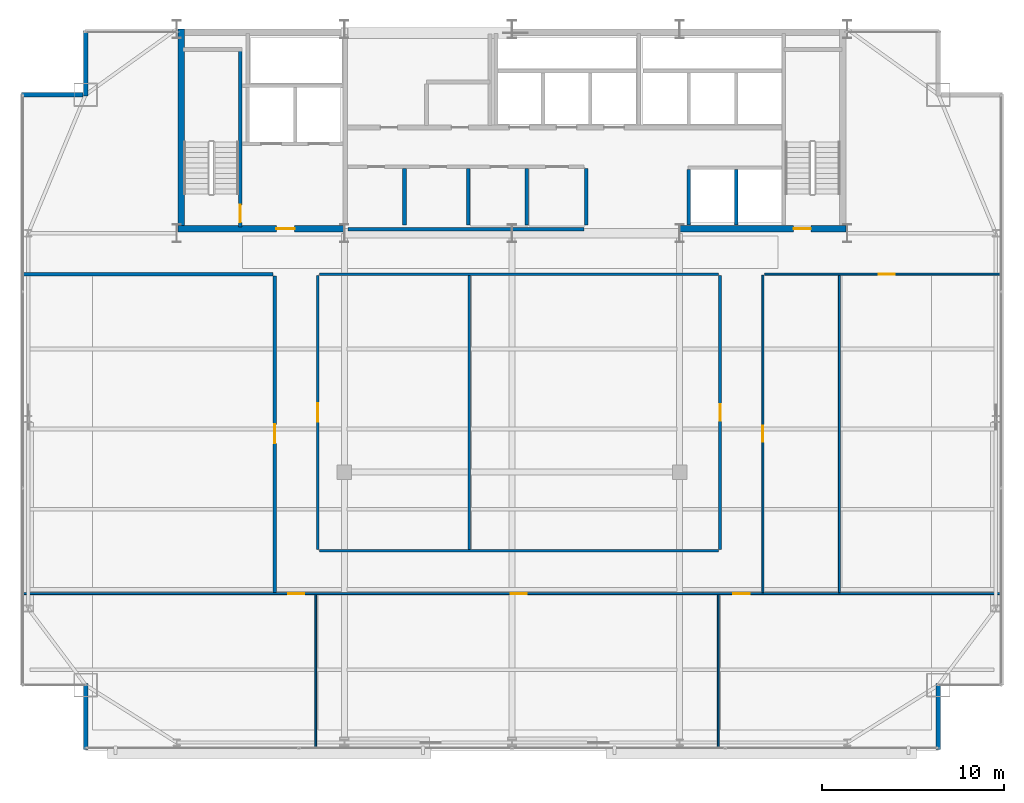
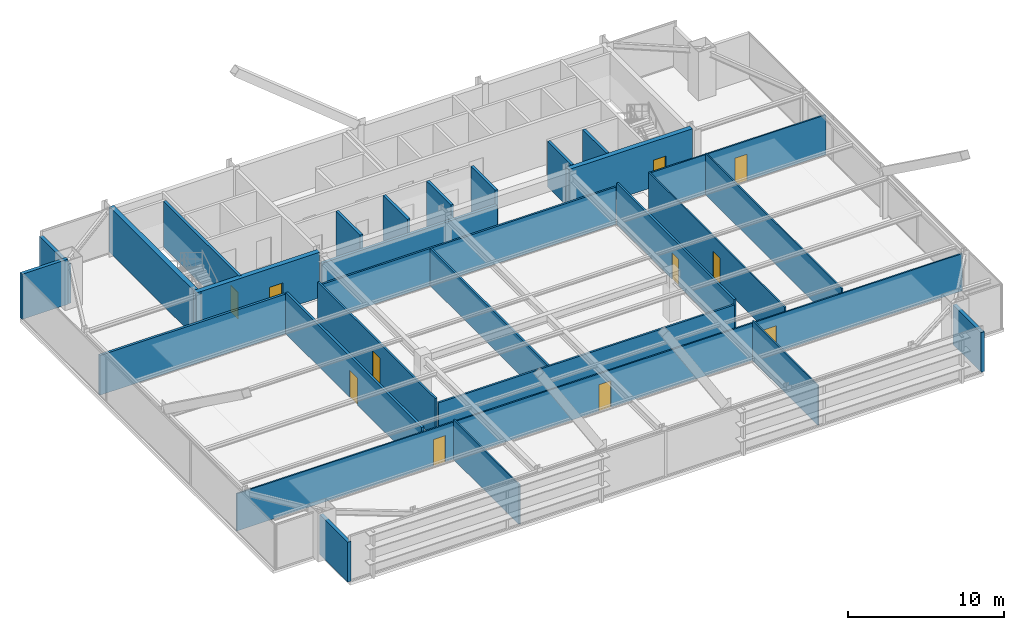
# One storey, part 26 of 30: 28 walls, 11 doors, 11 openings.
"""IFC4 building model written with IfcOpenShell, lengths in metres."""

from ifc_helpers import new_model, si_unit, direction, frame, frame_2d, origin, place, context, subcontext, project, spatial, rectangle, extrude, source, transform, mapped, material, layer, layer_set, type_object, type_shapes, element, fill, save


model = new_model("IFC4")

# Units and contexts
model_context = context("Model", 3, precision=1e-05, world=origin(), true_north=direction((0.0, 1.0)))
body_context = subcontext(model_context, "Body", "Model", "MODEL_VIEW")
ifc_project = project(units=[si_unit("LENGTHUNIT", "METRE"), si_unit("AREAUNIT", "SQUARE_METRE"), si_unit("VOLUMEUNIT", "CUBIC_METRE"), si_unit("PLANEANGLEUNIT", "RADIAN"), si_unit("MASSUNIT", "GRAM", prefix="KILO")], contexts=[model_context])

# Site, building, storey
site_placement = place(None, origin())
site = spatial("IfcSite", under=ifc_project, at=site_placement, CompositionType="ELEMENT")
building_placement = place(site_placement, origin())
building = spatial("IfcBuilding", under=site, at=building_placement, Name="Varnel Quay Broadcast Tower", CompositionType="ELEMENT")
storey_placement = place(building_placement, frame((0.0, 0.0, 149.60009765625)))
storey = spatial("IfcBuildingStorey", under=building, at=storey_placement, Name="L36", CompositionType="ELEMENT", Elevation=149.60009765625)

# Wall, opening, door
ifc_material_1 = material(Name="Concrete CSA A23.3 C50/60", Category="concrete")
ifc_layer_1 = layer(ifc_material_1, 0.199951171875, Name="Concrete CSA A23.3 C50/60")
ifc_layer_set_1 = layer_set([ifc_layer_1], Name="Concrete CSA A23.3 C50/60")
wall_type_1 = type_object("IfcWallType", Name="Wall_CoreShaftShear200", PredefinedType="SHEAR", material=ifc_layer_set_1)
wall_1_placement = place(storey_placement, frame((19.080078125, 35.949951171875, 0.0), z_axis=(0.0, 0.0, 1.0), x_axis=(0.0, 1.0, 0.0)))
wall_1 = element("IfcWall", 1, at=wall_1_placement, inside=storey, type_object=wall_type_1, Name="L36 Stair 1 East Structural Wall", PredefinedType="SHEAR", context=body_context, shape_type="SweptSolid", body=[
    extrude(rectangle(XDim=9.650146484375, YDim=0.199951171875, at=frame_2d((4.8251953125, 0.0))), origin(), (0.0, 0.0, 1.0), 3.5498046875),
])
opening_1_placement = place(wall_1_placement, frame((0.25, 0.0, 0.0)))
opening_1 = element("IfcOpeningElement", 2, at=opening_1_placement, cuts=wall_1, Name="Opening D-L36-S1", PredefinedType="OPENING", context=body_context, shape_type="SweptSolid", body=[
    extrude(rectangle(XDim=0.949951171875, YDim=2.10009765625, at=frame_2d((0.47509765625, 1.050048828125))), frame((0.0, 0.10986328125, 0.0), z_axis=(0.0, -1.0, 0.0), x_axis=(1.0, 0.0, 0.0)), (0.0, 0.0, 1.0), 0.219970703125),
])
ifc_material_2 = material(Name="Insulated Fire-Rated Hollow Steel Door", Category="steel")
door_type_1 = type_object("IfcDoorType", Name="Door_FireStair950", OperationType="NOTDEFINED", PredefinedType="DOOR", material=ifc_material_2)
shared_shape_1 = source(origin(), body_context, "Body", "SweptSolid", [
    extrude(rectangle(XDim=0.949951171875, YDim=2.10009765625, at=frame_2d((0.47509765625, 1.050048828125))), frame((0.0, 0.02490234375, 0.0), z_axis=(0.0, -1.0, 0.0), x_axis=(1.0, 0.0, 0.0)), (0.0, 0.0, 1.0), 0.050048828125),
])
type_shapes(door_type_1, [shared_shape_1])
door_1_placement = place(opening_1_placement, origin())
door_1 = element("IfcDoor", 3, at=door_1_placement, inside=storey, type_object=door_type_1, Name="L36 Stair 1 Fire Door", OperationType="SINGLE_SWING_LEFT", OverallHeight=2.10009765625, OverallWidth=0.949951171875, PredefinedType="DOOR", context=body_context, shape_type="MappedRepresentation", body=[
    mapped(shared_shape_1, transform((0.0, 0.0, 0.0), x_axis=(1.0, 0.0, 0.0), y_axis=(0.0, 1.0, 0.0), z_axis=(0.0, 0.0, 1.0), scale=1.0)),
])
fill(opening_1, door_1)

# Walls
for number, where, z_axis, x_axis, name in (
    (4, (43.699951171875, 36.050048828125, 0.0), (0.0, 0.0, 1.0), (0.0, 1.0, 0.0), "L36 Express Lift Shaft West Wall"),
    (5, (46.300048828125, 36.050048828125, 0.0), (0.0, 0.0, 1.0), (0.0, 1.0, 0.0), "L36 Express Lift Shaft Divider"),
):
    element("IfcWall", number, at=place(storey_placement, frame(where, z_axis=z_axis, x_axis=x_axis)), inside=storey, type_object=wall_type_1, Name=name, PredefinedType="SHEAR", context=body_context, shape_type="SweptSolid", body=[
        extrude(rectangle(XDim=3.050048828125, YDim=0.199951171875, at=frame_2d((1.52490234375, 0.0))), origin(), (0.0, 0.0, 1.0), 3.5498046875),
    ])
ifc_layer_2 = layer(ifc_material_1, 0.35009765625, Name="Concrete CSA A23.3 C50/60")
ifc_layer_set_2 = layer_set([ifc_layer_2], Name="Concrete CSA A23.3 C50/60")
wall_type_2 = type_object("IfcWallType", Name="Wall_CoreShearInt350", PredefinedType="SHEAR", material=ifc_layer_set_2)
wall_2_placement = place(storey_placement, frame((15.844970703125, 35.669921875, 0.0), z_axis=(0.0, 0.0, 1.0), x_axis=(0.0, 1.0, 0.0)))
element("IfcWall", 6, at=wall_2_placement, inside=storey, type_object=wall_type_2, Name="L36 West Core Shear Wall", PredefinedType="SHEAR", context=body_context, shape_type="SweptSolid", body=[
    extrude(rectangle(XDim=11.130126953125, YDim=0.35009765625, at=frame_2d((5.56494140625, 0.0))), origin(), (0.0, 0.0, 1.0), 3.5498046875),
])

# Wall, opening, door
wall_3_placement = place(storey_placement, frame((15.669921875, 35.844970703125, 0.0), z_axis=(0.0, 0.0, 1.0), x_axis=(1.0, 0.0, 0.0)))
wall_3 = element("IfcWall", 7, at=wall_3_placement, inside=storey, type_object=wall_type_2, Name="L36 South-West Core Shear Wall", PredefinedType="SHEAR", context=body_context, shape_type="SweptSolid", body=[
    extrude(rectangle(XDim=9.130126953125, YDim=0.35009765625, at=frame_2d((4.56494140625, 0.0))), origin(), (0.0, 0.0, 1.0), 3.5498046875),
])
opening_2_placement = place(wall_3_placement, frame((5.39990234375, 0.0, 0.0)))
opening_2 = element("IfcOpeningElement", 8, at=opening_2_placement, cuts=wall_3, Name="Opening D-L36-FFL", PredefinedType="OPENING", context=body_context, shape_type="SweptSolid", body=[
    extrude(rectangle(XDim=1.0, YDim=2.10009765625, at=frame_2d((0.5, 1.050048828125))), frame((0.0, 0.18505859375, 0.0), z_axis=(0.0, -1.0, 0.0), x_axis=(1.0, 0.0, 0.0)), (0.0, 0.0, 1.0), 0.3701171875),
])
door_type_2 = type_object("IfcDoorType", Name="Door_FireLobby1000", OperationType="NOTDEFINED", PredefinedType="DOOR", material=ifc_material_2)
shared_shape_2 = source(origin(), body_context, "Body", "SweptSolid", [
    extrude(rectangle(XDim=1.0, YDim=2.10009765625, at=frame_2d((0.5, 1.050048828125))), frame((0.0, 0.02490234375, 0.0), z_axis=(0.0, -1.0, 0.0), x_axis=(1.0, 0.0, 0.0)), (0.0, 0.0, 1.0), 0.050048828125),
])
type_shapes(door_type_2, [shared_shape_2])
door_2_placement = place(opening_2_placement, origin())
door_2 = element("IfcDoor", 9, at=door_2_placement, inside=storey, type_object=door_type_2, Name="L36 Firefighting Lobby Door", OperationType="SINGLE_SWING_RIGHT", OverallHeight=2.10009765625, OverallWidth=1.0, PredefinedType="DOOR", context=body_context, shape_type="MappedRepresentation", body=[
    mapped(shared_shape_2, transform((0.0, 0.0, 0.0), x_axis=(1.0, 0.0, 0.0), y_axis=(0.0, 1.0, 0.0), z_axis=(0.0, 0.0, 1.0), scale=1.0)),
])
fill(opening_2, door_2)

wall_4_placement = place(storey_placement, frame((43.199951171875, 35.844970703125, 0.0), z_axis=(0.0, 0.0, 1.0), x_axis=(1.0, 0.0, 0.0)))
wall_4 = element("IfcWall", 10, at=wall_4_placement, inside=storey, type_object=wall_type_2, Name="L36 South-East Core Shear Wall", PredefinedType="SHEAR", context=body_context, shape_type="SweptSolid", body=[
    extrude(rectangle(XDim=9.130126953125, YDim=0.35009765625, at=frame_2d((4.56494140625, 0.0))), origin(), (0.0, 0.0, 1.0), 3.5498046875),
])
opening_3_placement = place(wall_4_placement, frame((6.25, 0.0, 0.0)))
opening_3 = element("IfcOpeningElement", 11, at=opening_3_placement, cuts=wall_4, Name="Opening D-L36-S2", PredefinedType="OPENING", context=body_context, shape_type="SweptSolid", body=[
    extrude(rectangle(XDim=0.949951171875, YDim=2.10009765625, at=frame_2d((0.47509765625, 1.050048828125))), frame((0.0, 0.18505859375, 0.0), z_axis=(0.0, -1.0, 0.0), x_axis=(1.0, 0.0, 0.0)), (0.0, 0.0, 1.0), 0.3701171875),
])
door_3_placement = place(opening_3_placement, origin())
door_3 = element("IfcDoor", 12, at=door_3_placement, inside=storey, type_object=door_type_1, Name="L36 Stair 2 Fire Door", OperationType="SINGLE_SWING_LEFT", OverallHeight=2.10009765625, OverallWidth=0.949951171875, PredefinedType="DOOR", context=body_context, shape_type="MappedRepresentation", body=[
    mapped(shared_shape_1, transform((0.0, 0.0, 0.0), x_axis=(1.0, 0.0, 0.0), y_axis=(0.0, 1.0, 0.0), z_axis=(0.0, 0.0, 1.0), scale=1.0)),
])
fill(opening_3, door_3)

# Walls
ifc_material_3 = material(Name="Precast Architectural Concrete C40/50", Category="concrete")
ifc_layer_3 = layer(ifc_material_3, 0.25, Name="Precast Architectural Concrete C40/50")
ifc_layer_set_3 = layer_set([ifc_layer_3], Name="Precast Architectural Concrete C40/50")
wall_type_3 = type_object("IfcWallType", Name="Wall_ExtTerrace250", PredefinedType="SOLIDWALL", material=ifc_layer_set_3)
for number, where, z_axis, x_axis, name in (
    (13, (10.60009765625, 7.280029296875, 0.0), (0.0, 0.0, 1.0), (0.0, 1.0, 0.0), "L36 Mega-Column Notch Cladding Wall NSW2"),
    (14, (57.39990234375, 7.280029296875, 0.0), (0.0, 0.0, 1.0), (0.0, 1.0, 0.0), "L36 Mega-Column Notch Cladding Wall NSE2"),
):
    element("IfcWall", number, at=place(storey_placement, frame(where, z_axis=z_axis, x_axis=x_axis)), inside=storey, type_object=wall_type_3, Name=name, PredefinedType="SOLIDWALL", context=body_context, shape_type="SweptSolid", body=[
        extrude(rectangle(XDim=3.599853515625, YDim=0.25, at=frame_2d((1.7998046875, 0.0))), origin(), (0.0, 0.0, 1.0), 3.10791015625),
    ])
wall_5_placement = place(storey_placement, frame((7.080078125, 43.199951171875, 0.0), z_axis=(0.0, 0.0, 1.0), x_axis=(1.0, 0.0, 0.0)))
element("IfcWall", 15, at=wall_5_placement, inside=storey, type_object=wall_type_3, Name="L36 Mega-Column Notch Cladding Wall NNW1", PredefinedType="SOLIDWALL", context=body_context, shape_type="SweptSolid", body=[
    extrude(rectangle(XDim=3.389892578125, YDim=0.25, at=frame_2d((1.69482421875, 0.0))), origin(), (0.0, 0.0, 1.0), 3.52978515625),
])
wall_6_placement = place(storey_placement, frame((10.60009765625, 43.1201171875, 0.0), z_axis=(0.0, 0.0, 1.0), x_axis=(0.0, 1.0, 0.0)))
element("IfcWall", 16, at=wall_6_placement, inside=storey, type_object=wall_type_3, Name="L36 Mega-Column Notch Cladding Wall NNW2", PredefinedType="SOLIDWALL", context=body_context, shape_type="SweptSolid", body=[
    extrude(rectangle(XDim=3.599853515625, YDim=0.25, at=frame_2d((1.7998046875, 0.0))), origin(), (0.0, 0.0, 1.0), 3.10791015625),
])
ifc_material_4 = material(Name="Concrete Blockwork Fire Enclosure C40/50", Category="masonry")
ifc_layer_4 = layer(ifc_material_4, 0.199951171875, Name="Concrete Blockwork Fire Enclosure C40/50")
ifc_layer_set_4 = layer_set([ifc_layer_4], Name="Concrete Blockwork Fire Enclosure C40/50")
wall_type_4 = type_object("IfcWallType", Name="Wall_FireShaft200", PredefinedType="SOLIDWALL", material=ifc_layer_set_4)
wall_7_placement = place(storey_placement, frame((25.0, 35.824951171875, 0.0), z_axis=(0.0, 0.0, 1.0), x_axis=(1.0, 0.0, 0.0)))
element("IfcWall", 17, at=wall_7_placement, inside=storey, type_object=wall_type_4, Name="L36 Accessible Universal Washroom Partition 1", PredefinedType="SOLIDWALL", context=body_context, shape_type="SweptSolid", body=[
    extrude(rectangle(XDim=12.949951171875, YDim=0.199951171875, at=frame_2d((6.47509765625, 0.0))), origin(), (0.0, 0.0, 1.0), 2.574951171875),
])
for number, where, z_axis, x_axis, name in (
    (18, (34.800048828125, 36.050048828125, 0.0), (0.0, 0.0, 1.0), (0.0, 1.0, 0.0), "L36 Broadcast First-Aid & Quiet Room Partition 5"),
    (19, (38.074951171875, 36.050048828125, 0.0), (0.0, 0.0, 1.0), (0.0, 1.0, 0.0), "L36 Zone Lighting Dimmer Room Partition 6"),
):
    element("IfcWall", number, at=place(storey_placement, frame(where, z_axis=z_axis, x_axis=x_axis)), inside=storey, type_object=wall_type_4, Name=name, PredefinedType="SOLIDWALL", context=body_context, shape_type="SweptSolid", body=[
        extrude(rectangle(XDim=3.099853515625, YDim=0.199951171875, at=frame_2d((1.5498046875, 0.0))), origin(), (0.0, 0.0, 1.0), 3.52978515625),
    ])
ifc_material_5 = material(Name="Steel-Stud Fire-Rated Acoustic Gypsum Partition Assembly", Category="steel")
ifc_layer_5 = layer(ifc_material_5, 0.10498046875, Name="Steel-Stud Fire-Rated Acoustic Gypsum Partition Assembly")
ifc_layer_set_5 = layer_set([ifc_layer_5], Name="Steel-Stud Fire-Rated Acoustic Gypsum Partition Assembly")
wall_type_5 = type_object("IfcWallType", Name="Wall_Partition105", PredefinedType="PARTITIONING", material=ifc_layer_set_5)
wall_8_placement = place(storey_placement, frame((23.22998046875, 7.3798828125, 0.0), z_axis=(0.0, 0.0, 1.0), x_axis=(0.0, 1.0, 0.0)))
element("IfcWall", 20, at=wall_8_placement, inside=storey, type_object=wall_type_5, Name="L36 Lens & Rigging Store 1 Partition 7", PredefinedType="PARTITIONING", context=body_context, shape_type="SweptSolid", body=[
    extrude(rectangle(XDim=8.38818359375, YDim=0.10498046875, at=frame_2d((4.194091796875, 0.0))), origin(), (0.0, 0.0, 1.0), 3.10791015625),
])

# Wall, openings, doors
wall_9_placement = place(storey_placement, frame((7.179931640625, 15.820068359375, 0.0), z_axis=(0.0, 0.0, 1.0), x_axis=(1.0, 0.0, 0.0)))
wall_9 = element("IfcWall", 21, at=wall_9_placement, inside=storey, type_object=wall_type_5, Name="L36 Lens & Rigging Store 1 Partition 8", PredefinedType="PARTITIONING", context=body_context, shape_type="SweptSolid", body=[
    extrude(rectangle(XDim=53.64013671875, YDim=0.10498046875, at=frame_2d((26.820068359375, 0.0))), origin(), (0.0, 0.0, 1.0), 2.908935546875),
])
opening_4_placement = place(wall_9_placement, frame((14.534912109375, 0.0, 0.0)))
opening_4 = element("IfcOpeningElement", 22, at=opening_4_placement, cuts=wall_9, Name="Opening D-L36-05", PredefinedType="OPENING", context=body_context, shape_type="SweptSolid", body=[
    extrude(rectangle(XDim=0.8798828125, YDim=2.06005859375, at=frame_2d((0.43994140625, 1.030029296875))), frame((0.0, 0.0625, 0.0), z_axis=(0.0, -1.0, 0.0), x_axis=(1.0, 0.0, 0.0)), (0.0, 0.0, 1.0), 0.125),
])
opening_5_placement = place(wall_9_placement, frame((26.7548828125, 0.0, 0.0)))
opening_5 = element("IfcOpeningElement", 23, at=opening_5_placement, cuts=wall_9, Name="Opening D-L36-06", PredefinedType="OPENING", context=body_context, shape_type="SweptSolid", body=[
    extrude(rectangle(XDim=0.8798828125, YDim=2.06005859375, at=frame_2d((0.43994140625, 1.030029296875))), frame((0.0, 0.0625, 0.0), z_axis=(0.0, -1.0, 0.0), x_axis=(1.0, 0.0, 0.0)), (0.0, 0.0, 1.0), 0.125),
])
opening_6_placement = place(wall_9_placement, frame((38.955078125, 0.0, 0.0)))
opening_6 = element("IfcOpeningElement", 24, at=opening_6_placement, cuts=wall_9, Name="Opening D-L36-07", PredefinedType="OPENING", context=body_context, shape_type="SweptSolid", body=[
    extrude(rectangle(XDim=0.919921875, YDim=2.080078125, at=frame_2d((0.4599609375, 1.0400390625))), frame((0.0, 0.0625, 0.0), z_axis=(0.0, -1.0, 0.0), x_axis=(1.0, 0.0, 0.0)), (0.0, 0.0, 1.0), 0.125),
])
ifc_material_6 = material(Name="Solid-Core Fire-Rated Acoustic Oak Veneer Door", Category="wood")
door_type_3 = type_object("IfcDoorType", Name="Door_Booth880", OperationType="NOTDEFINED", PredefinedType="DOOR", material=ifc_material_6)
shared_shape_3 = source(origin(), body_context, "Body", "SweptSolid", [
    extrude(rectangle(XDim=0.8798828125, YDim=2.06005859375, at=frame_2d((0.43994140625, 1.030029296875))), frame((0.0, 0.02490234375, 0.0), z_axis=(0.0, -1.0, 0.0), x_axis=(1.0, 0.0, 0.0)), (0.0, 0.0, 1.0), 0.050048828125),
])
type_shapes(door_type_3, [shared_shape_3])
door_4_placement = place(opening_4_placement, frame((0.8798828125, 0.0, 0.0), z_axis=(0.0, 0.0, 1.0), x_axis=(-1.0, 0.0, 0.0)))
door_4 = element("IfcDoor", 25, at=door_4_placement, inside=storey, type_object=door_type_3, Name="L36 Lens & Rigging Store 1 Door D-L36-05", OperationType="SINGLE_SWING_RIGHT", OverallHeight=2.06005859375, OverallWidth=0.8798828125, PredefinedType="DOOR", context=body_context, shape_type="MappedRepresentation", body=[
    mapped(shared_shape_3, transform((0.0, 0.0, 0.0), x_axis=(1.0, 0.0, 0.0), y_axis=(0.0, 1.0, 0.0), z_axis=(0.0, 0.0, 1.0), scale=1.0)),
])
fill(opening_4, door_4)
door_5_placement = place(opening_5_placement, frame((0.8798828125, 0.0, 0.0), z_axis=(0.0, 0.0, 1.0), x_axis=(-1.0, 0.0, 0.0)))
door_5 = element("IfcDoor", 26, at=door_5_placement, inside=storey, type_object=door_type_3, Name="L36 Ingest Vault Store 2 Door D-L36-06", OperationType="SINGLE_SWING_LEFT", OverallHeight=2.06005859375, OverallWidth=0.8798828125, PredefinedType="DOOR", context=body_context, shape_type="MappedRepresentation", body=[
    mapped(shared_shape_3, transform((0.0, 0.0, 0.0), x_axis=(1.0, 0.0, 0.0), y_axis=(0.0, 1.0, 0.0), z_axis=(0.0, 0.0, 1.0), scale=1.0)),
])
fill(opening_5, door_5)
door_type_4 = type_object("IfcDoorType", Name="Door_Office920", OperationType="NOTDEFINED", PredefinedType="DOOR", material=ifc_material_6)
shared_shape_4 = source(origin(), body_context, "Body", "SweptSolid", [
    extrude(rectangle(XDim=0.919921875, YDim=2.080078125, at=frame_2d((0.4599609375, 1.0400390625))), frame((0.0, 0.02490234375, 0.0), z_axis=(0.0, -1.0, 0.0), x_axis=(1.0, 0.0, 0.0)), (0.0, 0.0, 1.0), 0.050048828125),
])
type_shapes(door_type_4, [shared_shape_4])
door_6_placement = place(opening_6_placement, frame((0.919921875, 0.0, 0.0), z_axis=(0.0, 0.0, 1.0), x_axis=(-1.0, 0.0, 0.0)))
door_6 = element("IfcDoor", 27, at=door_6_placement, inside=storey, type_object=door_type_4, Name="L36 Color Timing Suite 3 Door D-L36-07", OperationType="SINGLE_SWING_RIGHT", OverallHeight=2.080078125, OverallWidth=0.919921875, PredefinedType="DOOR", context=body_context, shape_type="MappedRepresentation", body=[
    mapped(shared_shape_4, transform((0.0, 0.0, 0.0), x_axis=(1.0, 0.0, 0.0), y_axis=(0.0, 1.0, 0.0), z_axis=(0.0, 0.0, 1.0), scale=1.0)),
])
fill(opening_6, door_6)

# Walls
wall_10_placement = place(storey_placement, frame((45.320068359375, 7.3798828125, 0.0), z_axis=(0.0, 0.0, 1.0), x_axis=(0.0, 1.0, 0.0)))
element("IfcWall", 28, at=wall_10_placement, inside=storey, type_object=wall_type_5, Name="L36 Ingest Vault Store 2 Partition 9", PredefinedType="PARTITIONING", context=body_context, shape_type="SweptSolid", body=[
    extrude(rectangle(XDim=8.38818359375, YDim=0.10498046875, at=frame_2d((4.194091796875, 0.0))), origin(), (0.0, 0.0, 1.0), 3.10791015625),
])
wall_11_placement = place(storey_placement, frame((51.969970703125, 15.873046875, 0.0), z_axis=(0.0, 0.0, 1.0), x_axis=(0.0, 1.0, 0.0)))
element("IfcWall", 29, at=wall_11_placement, inside=storey, type_object=wall_type_5, Name="L36 Media Tape Archive Store 7 Partition 17", PredefinedType="PARTITIONING", context=body_context, shape_type="SweptSolid", body=[
    extrude(rectangle(XDim=17.424072265625, YDim=0.10498046875, at=frame_2d((8.7119140625, 0.0))), origin(), (0.0, 0.0, 1.0), 3.221923828125),
])

# Wall, opening, door
wall_12_placement = place(storey_placement, frame((47.8701171875, 33.35009765625, 0.0), z_axis=(0.0, 0.0, 1.0), x_axis=(1.0, 0.0, 0.0)))
wall_12 = element("IfcWall", 30, at=wall_12_placement, inside=storey, type_object=wall_type_5, Name="L36 Media Tape Archive Store 7 Partition 18", PredefinedType="PARTITIONING", context=body_context, shape_type="SweptSolid", body=[
    extrude(rectangle(XDim=12.949951171875, YDim=0.10498046875, at=frame_2d((6.47509765625, 0.0))), origin(), (0.0, 0.0, 1.0), 3.10791015625),
])
opening_7_placement = place(wall_12_placement, frame((6.25, 0.0, 0.0)))
opening_7 = element("IfcOpeningElement", 31, at=opening_7_placement, cuts=wall_12, Name="Opening D-L36-12", PredefinedType="OPENING", context=body_context, shape_type="SweptSolid", body=[
    extrude(rectangle(XDim=0.8798828125, YDim=2.06005859375, at=frame_2d((0.43994140625, 1.030029296875))), frame((0.0, 0.0625, 0.0), z_axis=(0.0, -1.0, 0.0), x_axis=(1.0, 0.0, 0.0)), (0.0, 0.0, 1.0), 0.125),
])
door_7_placement = place(opening_7_placement, frame((0.8798828125, 0.0, 0.0), z_axis=(0.0, 0.0, 1.0), x_axis=(-1.0, 0.0, 0.0)))
door_7 = element("IfcDoor", 32, at=door_7_placement, inside=storey, type_object=door_type_3, Name="L36 Lens & Rigging Store 8 Door D-L36-12", OperationType="SINGLE_SWING_LEFT", OverallHeight=2.06005859375, OverallWidth=0.8798828125, PredefinedType="DOOR", context=body_context, shape_type="MappedRepresentation", body=[
    mapped(shared_shape_3, transform((0.0, 0.0, 0.0), x_axis=(1.0, 0.0, 0.0), y_axis=(0.0, 1.0, 0.0), z_axis=(0.0, 0.0, 1.0), scale=1.0)),
])
fill(opening_7, door_7)

wall_13_placement = place(storey_placement, frame((47.77001953125, 15.873046875, 0.0), z_axis=(0.0, 0.0, 1.0), x_axis=(0.0, 1.0, 0.0)))
wall_13 = element("IfcWall", 33, at=wall_13_placement, inside=storey, type_object=wall_type_5, Name="L36 Media Tape Archive Store 7 Partition 19", PredefinedType="PARTITIONING", context=body_context, shape_type="SweptSolid", body=[
    extrude(rectangle(XDim=17.424072265625, YDim=0.10498046875, at=frame_2d((8.7119140625, 0.0))), origin(), (0.0, 0.0, 1.0), 3.221923828125),
])
opening_8_placement = place(wall_13_placement, frame((8.27197265625, 0.0, 0.0)))
opening_8 = element("IfcOpeningElement", 34, at=opening_8_placement, cuts=wall_13, Name="Opening D-L36-11", PredefinedType="OPENING", context=body_context, shape_type="SweptSolid", body=[
    extrude(rectangle(XDim=0.8798828125, YDim=2.06005859375, at=frame_2d((0.43994140625, 1.030029296875))), frame((0.0, 0.0625, 0.0), z_axis=(0.0, -1.0, 0.0), x_axis=(1.0, 0.0, 0.0)), (0.0, 0.0, 1.0), 0.125),
])
door_8_placement = place(opening_8_placement, frame((0.8798828125, 0.0, 0.0), z_axis=(0.0, 0.0, 1.0), x_axis=(-1.0, 0.0, 0.0)))
door_8 = element("IfcDoor", 35, at=door_8_placement, inside=storey, type_object=door_type_3, Name="L36 Media Tape Archive Store 7 Door D-L36-11", OperationType="SINGLE_SWING_RIGHT", OverallHeight=2.06005859375, OverallWidth=0.8798828125, PredefinedType="DOOR", context=body_context, shape_type="MappedRepresentation", body=[
    mapped(shared_shape_3, transform((0.0, 0.0, 0.0), x_axis=(1.0, 0.0, 0.0), y_axis=(0.0, 1.0, 0.0), z_axis=(0.0, 0.0, 1.0), scale=1.0)),
])
fill(opening_8, door_8)

# Walls
ifc_layer_6 = layer(ifc_material_5, 0.139892578125, Name="Steel-Stud Fire-Rated Acoustic Gypsum Partition Assembly")
ifc_layer_set_6 = layer_set([ifc_layer_6], Name="Steel-Stud Fire-Rated Acoustic Gypsum Partition Assembly")
wall_type_6 = type_object("IfcWallType", Name="Wall_Partition140", PredefinedType="PARTITIONING", material=ifc_layer_set_6)
wall_14_placement = place(storey_placement, frame((23.429931640625, 18.169921875, 0.0), z_axis=(0.0, 0.0, 1.0), x_axis=(1.0, 0.0, 0.0)))
element("IfcWall", 36, at=wall_14_placement, inside=storey, type_object=wall_type_6, Name="L36 Producer Lounge 5 Partition 12", PredefinedType="PARTITIONING", context=body_context, shape_type="SweptSolid", body=[
    extrude(rectangle(XDim=21.89013671875, YDim=0.139892578125, at=frame_2d((10.945068359375, 0.0))), origin(), (0.0, 0.0, 1.0), 2.908935546875),
])
wall_15_placement = place(storey_placement, frame((31.64990234375, 18.239990234375, 0.0), z_axis=(0.0, 0.0, 1.0), x_axis=(0.0, 1.0, 0.0)))
element("IfcWall", 37, at=wall_15_placement, inside=storey, type_object=wall_type_6, Name="L36 Producer Lounge 5 Partition 13", PredefinedType="PARTITIONING", context=body_context, shape_type="SweptSolid", body=[
    extrude(rectangle(XDim=15.0400390625, YDim=0.139892578125, at=frame_2d((7.52001953125, 0.0))), origin(), (0.0, 0.0, 1.0), 2.908935546875),
])
wall_16_placement = place(storey_placement, frame((23.429931640625, 33.35009765625, 0.0), z_axis=(0.0, 0.0, 1.0), x_axis=(1.0, 0.0, 0.0)))
element("IfcWall", 38, at=wall_16_placement, inside=storey, type_object=wall_type_6, Name="L36 Producer Lounge 5 Partition 14", PredefinedType="PARTITIONING", context=body_context, shape_type="SweptSolid", body=[
    extrude(rectangle(XDim=21.89013671875, YDim=0.139892578125, at=frame_2d((10.945068359375, 0.0))), origin(), (0.0, 0.0, 1.0), 2.908935546875),
])

# Wall, opening, door
wall_17_placement = place(storey_placement, frame((23.330078125, 18.239990234375, 0.0), z_axis=(0.0, 0.0, 1.0), x_axis=(0.0, 1.0, 0.0)))
wall_17 = element("IfcWall", 39, at=wall_17_placement, inside=storey, type_object=wall_type_6, Name="L36 Producer Lounge 5 Partition 15", PredefinedType="PARTITIONING", context=body_context, shape_type="SweptSolid", body=[
    extrude(rectangle(XDim=15.0400390625, YDim=0.139892578125, at=frame_2d((7.52001953125, 0.0))), origin(), (0.0, 0.0, 1.0), 3.221923828125),
])
opening_9_placement = place(wall_17_placement, frame((7.02001953125, 0.0, 0.0)))
opening_9 = element("IfcOpeningElement", 40, at=opening_9_placement, cuts=wall_17, Name="Opening D-L36-09", PredefinedType="OPENING", context=body_context, shape_type="SweptSolid", body=[
    extrude(rectangle(XDim=1.0, YDim=2.10009765625, at=frame_2d((0.5, 1.050048828125))), frame((0.0, 0.080078125, 0.0), z_axis=(0.0, -1.0, 0.0), x_axis=(1.0, 0.0, 0.0)), (0.0, 0.0, 1.0), 0.159912109375),
])
door_type_5 = type_object("IfcDoorType", Name="Door_Exec1000", OperationType="NOTDEFINED", PredefinedType="DOOR", material=ifc_material_6)
shared_shape_5 = source(origin(), body_context, "Body", "SweptSolid", [
    extrude(rectangle(XDim=1.0, YDim=2.10009765625, at=frame_2d((0.5, 1.050048828125))), frame((0.0, 0.02490234375, 0.0), z_axis=(0.0, -1.0, 0.0), x_axis=(1.0, 0.0, 0.0)), (0.0, 0.0, 1.0), 0.050048828125),
])
type_shapes(door_type_5, [shared_shape_5])
door_9_placement = place(opening_9_placement, frame((1.0, 0.0, 0.0), z_axis=(0.0, 0.0, 1.0), x_axis=(-1.0, 0.0, 0.0)))
door_9 = element("IfcDoor", 41, at=door_9_placement, inside=storey, type_object=door_type_5, Name="L36 Producer Lounge 5 Door D-L36-09", OperationType="SINGLE_SWING_RIGHT", OverallHeight=2.10009765625, OverallWidth=1.0, PredefinedType="DOOR", context=body_context, shape_type="MappedRepresentation", body=[
    mapped(shared_shape_5, transform((0.0, 0.0, 0.0), x_axis=(1.0, 0.0, 0.0), y_axis=(0.0, 1.0, 0.0), z_axis=(0.0, 0.0, 1.0), scale=1.0)),
])
fill(opening_9, door_9)

ifc_layer_7 = layer(ifc_material_5, 0.14990234375, Name="Steel-Stud Fire-Rated Acoustic Gypsum Partition Assembly")
ifc_layer_set_7 = layer_set([ifc_layer_7], Name="Steel-Stud Fire-Rated Acoustic Gypsum Partition Assembly")
wall_type_7 = type_object("IfcWallType", Name="Wall_Partition150", PredefinedType="PARTITIONING", material=ifc_layer_set_7)
wall_18_placement = place(storey_placement, frame((45.419921875, 18.239990234375, 0.0), z_axis=(0.0, 0.0, 1.0), x_axis=(0.0, 1.0, 0.0)))
wall_18 = element("IfcWall", 42, at=wall_18_placement, inside=storey, type_object=wall_type_7, Name="L36 Tea Kitchen 6 Partition 16", PredefinedType="PARTITIONING", context=body_context, shape_type="SweptSolid", body=[
    extrude(rectangle(XDim=15.0400390625, YDim=0.14990234375, at=frame_2d((7.52001953125, 0.0))), origin(), (0.0, 0.0, 1.0), 3.221923828125),
])
opening_10_placement = place(wall_18_placement, frame((7.080078125, 0.0, 0.0)))
opening_10 = element("IfcOpeningElement", 43, at=opening_10_placement, cuts=wall_18, Name="Opening D-L36-10", PredefinedType="OPENING", context=body_context, shape_type="SweptSolid", body=[
    extrude(rectangle(XDim=0.8798828125, YDim=2.06005859375, at=frame_2d((0.43994140625, 1.030029296875))), frame((0.0, 0.0849609375, 0.0), z_axis=(0.0, -1.0, 0.0), x_axis=(1.0, 0.0, 0.0)), (0.0, 0.0, 1.0), 0.169921875),
])
door_10_placement = place(opening_10_placement, origin())
door_10 = element("IfcDoor", 44, at=door_10_placement, inside=storey, type_object=door_type_3, Name="L36 Tea Kitchen 6 Door D-L36-10", OperationType="SINGLE_SWING_LEFT", OverallHeight=2.06005859375, OverallWidth=0.8798828125, PredefinedType="DOOR", context=body_context, shape_type="MappedRepresentation", body=[
    mapped(shared_shape_3, transform((0.0, 0.0, 0.0), x_axis=(1.0, 0.0, 0.0), y_axis=(0.0, 1.0, 0.0), z_axis=(0.0, 0.0, 1.0), scale=1.0)),
])
fill(opening_10, door_10)

ifc_layer_8 = layer(ifc_material_5, 0.175048828125, Name="Steel-Stud Fire-Rated Acoustic Gypsum Partition Assembly")
ifc_layer_set_8 = layer_set([ifc_layer_8], Name="Steel-Stud Fire-Rated Acoustic Gypsum Partition Assembly")
wall_type_8 = type_object("IfcWallType", Name="Wall_Partition175", PredefinedType="PARTITIONING", material=ifc_layer_set_8)
wall_19_placement = place(storey_placement, frame((20.97998046875, 15.873046875, 0.0), z_axis=(0.0, 0.0, 1.0), x_axis=(0.0, 1.0, 0.0)))
wall_19 = element("IfcWall", 45, at=wall_19_placement, inside=storey, type_object=wall_type_8, Name="L36 Screening Meeting Room 4 Partition 10", PredefinedType="PARTITIONING", context=body_context, shape_type="SweptSolid", body=[
    extrude(rectangle(XDim=17.389892578125, YDim=0.175048828125, at=frame_2d((8.69482421875, 0.0))), origin(), (0.0, 0.0, 1.0), 3.221923828125),
])
opening_11_placement = place(wall_19_placement, frame((8.18701171875, 0.0, 0.0)))
opening_11 = element("IfcOpeningElement", 46, at=opening_11_placement, cuts=wall_19, Name="Opening D-L36-08", PredefinedType="OPENING", context=body_context, shape_type="SweptSolid", body=[
    extrude(rectangle(XDim=1.050048828125, YDim=2.10009765625, at=frame_2d((0.52490234375, 1.050048828125))), frame((0.0, 0.09765625, 0.0), z_axis=(0.0, -1.0, 0.0), x_axis=(1.0, 0.0, 0.0)), (0.0, 0.0, 1.0), 0.195068359375),
])
door_type_6 = type_object("IfcDoorType", Name="Door_Meeting1050", OperationType="NOTDEFINED", PredefinedType="DOOR", material=ifc_material_6)
shared_shape_6 = source(origin(), body_context, "Body", "SweptSolid", [
    extrude(rectangle(XDim=1.050048828125, YDim=2.10009765625, at=frame_2d((0.52490234375, 1.050048828125))), frame((0.0, 0.02490234375, 0.0), z_axis=(0.0, -1.0, 0.0), x_axis=(1.0, 0.0, 0.0)), (0.0, 0.0, 1.0), 0.050048828125),
])
type_shapes(door_type_6, [shared_shape_6])
door_11_placement = place(opening_11_placement, origin())
door_11 = element("IfcDoor", 47, at=door_11_placement, inside=storey, type_object=door_type_6, Name="L36 Screening Meeting Room 4 Door D-L36-08", OperationType="SINGLE_SWING_LEFT", OverallHeight=2.10009765625, OverallWidth=1.050048828125, PredefinedType="DOOR", context=body_context, shape_type="MappedRepresentation", body=[
    mapped(shared_shape_6, transform((0.0, 0.0, 0.0), x_axis=(1.0, 0.0, 0.0), y_axis=(0.0, 1.0, 0.0), z_axis=(0.0, 0.0, 1.0), scale=1.0)),
])
fill(opening_11, door_11)

# Walls
wall_20_placement = place(storey_placement, frame((7.179931640625, 33.35009765625, 0.0), z_axis=(0.0, 0.0, 1.0), x_axis=(1.0, 0.0, 0.0)))
element("IfcWall", 48, at=wall_20_placement, inside=storey, type_object=wall_type_8, Name="L36 Screening Meeting Room 4 Partition 11", PredefinedType="PARTITIONING", context=body_context, shape_type="SweptSolid", body=[
    extrude(rectangle(XDim=13.699951171875, YDim=0.175048828125, at=frame_2d((6.85009765625, 0.0))), origin(), (0.0, 0.0, 1.0), 3.10791015625),
])
ifc_material_7 = material(Name="Fire-Rated Moisture-Resistant Plumbing Chase Partition")
ifc_layer_9 = layer(ifc_material_7, 0.199951171875, Name="Fire-Rated Moisture-Resistant Plumbing Chase Partition")
ifc_layer_set_9 = layer_set([ifc_layer_9], Name="Fire-Rated Moisture-Resistant Plumbing Chase Partition")
wall_type_9 = type_object("IfcWallType", Name="Wall_Plumbing200", PredefinedType="PLUMBINGWALL", material=ifc_layer_set_9)
for number, where, z_axis, x_axis, name in (
    (49, (28.10009765625, 36.050048828125, 0.0), (0.0, 0.0, 1.0), (0.0, 1.0, 0.0), "L36 Accessible Universal Washroom Partition 2"),
    (50, (31.60009765625, 36.050048828125, 0.0), (0.0, 0.0, 1.0), (0.0, 1.0, 0.0), "L36 Staff Washroom Block Partition 4"),
):
    element("IfcWall", number, at=place(storey_placement, frame(where, z_axis=z_axis, x_axis=x_axis)), inside=storey, type_object=wall_type_9, Name=name, PredefinedType="PLUMBINGWALL", context=body_context, shape_type="SweptSolid", body=[
        extrude(rectangle(XDim=3.099853515625, YDim=0.199951171875, at=frame_2d((1.5498046875, 0.0))), origin(), (0.0, 0.0, 1.0), 3.52978515625),
    ])

save(model, "model.ifc")
